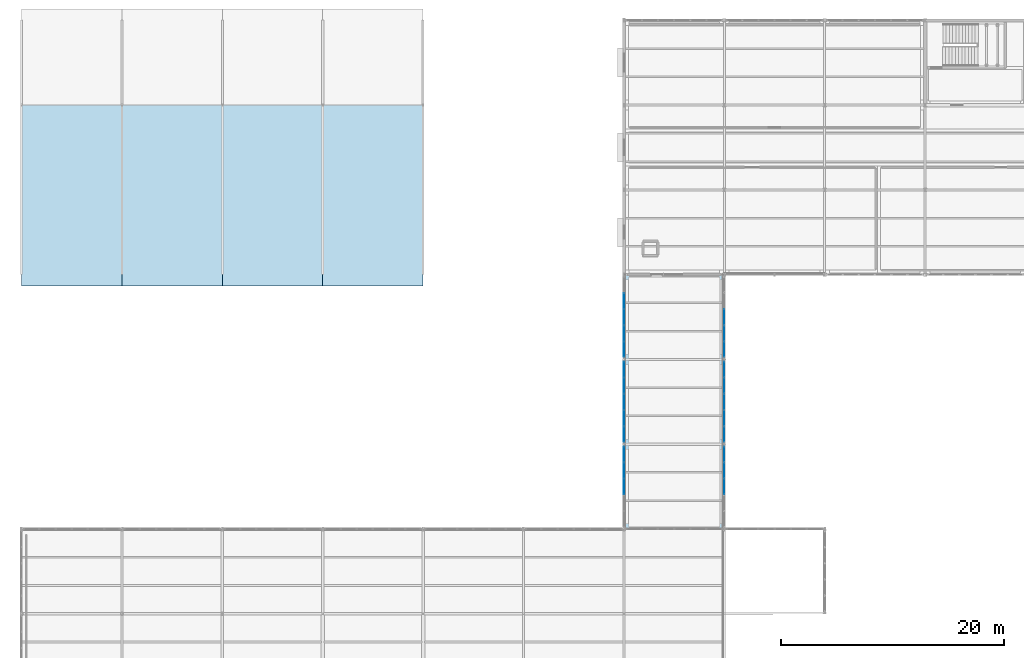
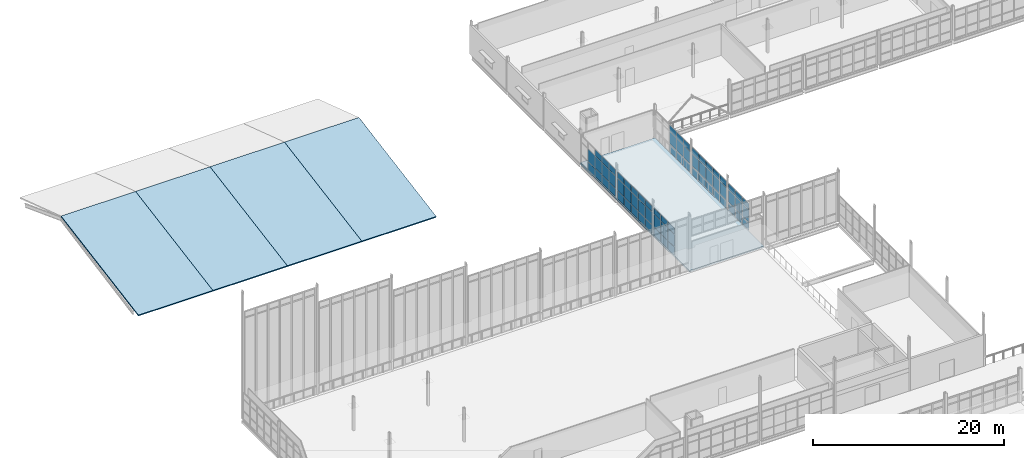
# One storey, part 130 of 166: 68 plates, 5 slabs, 6 elements without a shape of their own.
"""IFC4 building model written with IfcOpenShell, lengths in metres."""

from ifc_helpers import new_model, si_unit, direction, frame, origin, origin_2d, place, context, subcontext, project, spatial, polyline, rectangle, outline, extrude, material, layer, layer_set, type_object, element, aggregate, save


model = new_model("IFC4")

# Units and contexts
model_context = context("Model", 3, precision=1e-05, world=origin(), true_north=direction((0.0, 1.0)))
body_context = subcontext(model_context, "Body", "Model", "MODEL_VIEW")
ifc_project = project(units=[si_unit("LENGTHUNIT", "METRE"), si_unit("AREAUNIT", "SQUARE_METRE"), si_unit("VOLUMEUNIT", "CUBIC_METRE"), si_unit("PLANEANGLEUNIT", "RADIAN"), si_unit("MASSUNIT", "GRAM", prefix="KILO")], contexts=[model_context])

# Site, building, storey
site_placement = place(None, origin())
site = spatial("IfcSite", under=ifc_project, at=site_placement, CompositionType="ELEMENT")
building_placement = place(site_placement, origin())
building = spatial("IfcBuilding", under=site, at=building_placement, Name="Caisbarro Railhouse Central Library", CompositionType="ELEMENT")
storey_placement = place(building_placement, frame((0.0, 0.0, 9.360107421875)))
storey = spatial("IfcBuildingStorey", under=building, at=storey_placement, Name="L02", CompositionType="ELEMENT", Elevation=9.360107421875)

# Curtain wall, plates
ifc_material_1 = material(Name="Anodised architectural aluminium", Category="aluminium")
curtain_wall_type = type_object("IfcCurtainWallType", Name="CW-CW03", PredefinedType="NOTDEFINED", material=ifc_material_1)
curtain_wall_1_placement = place(storey_placement, origin())
curtain_wall_1 = element("IfcCurtainWall", 1, at=curtain_wall_1_placement, inside=storey, type_object=curtain_wall_type, Name="CW03 curtain wall L02 #202", PredefinedType="NOTDEFINED")
ifc_material_2 = material(Name="Double low-e laminated solar-control glass", Category="glass")
ifc_layer_1 = layer(ifc_material_2, 0.01806640625, Name="Double low-e laminated solar-control glass")
ifc_layer_set_1 = layer_set([ifc_layer_1], Name="Double low-e laminated solar-control glass")
plate_type = type_object("IfcPlateType", Name="CWP-CP18", PredefinedType="CURTAIN_PANEL", material=ifc_layer_set_1)
plate_1_placement = place(storey_placement, frame((54.0, 64.60009765625, 0.06494140625), z_axis=(0.0, 0.0, 1.0), x_axis=(0.0, 1.0, 0.0)))
plate_1 = element("IfcPlate", 2, at=plate_1_placement, type_object=plate_type, Name="CW03 panel 3.1", PredefinedType="CURTAIN_PANEL", context=body_context, shape_type="SweptSolid", body=[
    extrude(rectangle(XDim=1.39111328125, YDim=0.01806640625, at=origin_2d()), origin(), (0.0, 0.0, 1.0), 1.0224609375),
])
plate_2_placement = place(storey_placement, frame((54.0, 64.60009765625, 1.15234375), z_axis=(0.0, 0.0, 1.0), x_axis=(0.0, 1.0, 0.0)))
plate_2 = element("IfcPlate", 3, at=plate_2_placement, type_object=plate_type, Name="CW03 panel 3.2", PredefinedType="CURTAIN_PANEL", context=body_context, shape_type="SweptSolid", body=[
    extrude(rectangle(XDim=1.39111328125, YDim=0.01806640625, at=origin_2d()), origin(), (0.0, 0.0, 1.0), 1.554931640625),
])
plate_3_placement = place(storey_placement, frame((54.0, 64.60009765625, 2.7724609375), z_axis=(0.0, 0.0, 1.0), x_axis=(0.0, 1.0, 0.0)))
plate_3 = element("IfcPlate", 4, at=plate_3_placement, type_object=plate_type, Name="CW03 panel 3.3", PredefinedType="CURTAIN_PANEL", context=body_context, shape_type="SweptSolid", body=[
    extrude(rectangle(XDim=1.39111328125, YDim=0.01806640625, at=origin_2d()), origin(), (0.0, 0.0, 1.0), 0.75244140625),
])
plate_4_placement = place(storey_placement, frame((54.0, 66.055908203125, 0.06494140625), z_axis=(0.0, 0.0, 1.0), x_axis=(0.0, 1.0, 0.0)))
plate_4 = element("IfcPlate", 5, at=plate_4_placement, type_object=plate_type, Name="CW03 panel 4.1", PredefinedType="CURTAIN_PANEL", context=body_context, shape_type="SweptSolid", body=[
    extrude(rectangle(XDim=1.39111328125, YDim=0.01806640625, at=origin_2d()), origin(), (0.0, 0.0, 1.0), 1.0224609375),
])
plate_5_placement = place(storey_placement, frame((54.0, 66.055908203125, 1.15234375), z_axis=(0.0, 0.0, 1.0), x_axis=(0.0, 1.0, 0.0)))
plate_5 = element("IfcPlate", 6, at=plate_5_placement, type_object=plate_type, Name="CW03 panel 4.2", PredefinedType="CURTAIN_PANEL", context=body_context, shape_type="SweptSolid", body=[
    extrude(rectangle(XDim=1.39111328125, YDim=0.01806640625, at=origin_2d()), origin(), (0.0, 0.0, 1.0), 1.554931640625),
])
plate_6_placement = place(storey_placement, frame((54.0, 66.055908203125, 2.7724609375), z_axis=(0.0, 0.0, 1.0), x_axis=(0.0, 1.0, 0.0)))
plate_6 = element("IfcPlate", 7, at=plate_6_placement, type_object=plate_type, Name="CW03 panel 4.3", PredefinedType="CURTAIN_PANEL", context=body_context, shape_type="SweptSolid", body=[
    extrude(rectangle(XDim=1.39111328125, YDim=0.01806640625, at=origin_2d()), origin(), (0.0, 0.0, 1.0), 0.75244140625),
])
plate_7_placement = place(storey_placement, frame((54.0, 67.495849609375, 0.06494140625), z_axis=(0.0, 0.0, 1.0), x_axis=(0.0, 1.0, 0.0)))
plate_7 = element("IfcPlate", 8, at=plate_7_placement, type_object=plate_type, Name="CW03 panel 5.1", PredefinedType="CURTAIN_PANEL", context=body_context, shape_type="SweptSolid", body=[
    extrude(rectangle(XDim=1.3583984375, YDim=0.01806640625, at=origin_2d()), origin(), (0.0, 0.0, 1.0), 1.0224609375),
])
plate_8_placement = place(storey_placement, frame((54.0, 67.495849609375, 1.15234375), z_axis=(0.0, 0.0, 1.0), x_axis=(0.0, 1.0, 0.0)))
plate_8 = element("IfcPlate", 9, at=plate_8_placement, type_object=plate_type, Name="CW03 panel 5.2", PredefinedType="CURTAIN_PANEL", context=body_context, shape_type="SweptSolid", body=[
    extrude(rectangle(XDim=1.3583984375, YDim=0.01806640625, at=origin_2d()), origin(), (0.0, 0.0, 1.0), 1.554931640625),
])
plate_9_placement = place(storey_placement, frame((54.0, 67.495849609375, 2.7724609375), z_axis=(0.0, 0.0, 1.0), x_axis=(0.0, 1.0, 0.0)))
plate_9 = element("IfcPlate", 10, at=plate_9_placement, type_object=plate_type, Name="CW03 panel 5.3", PredefinedType="CURTAIN_PANEL", context=body_context, shape_type="SweptSolid", body=[
    extrude(rectangle(XDim=1.3583984375, YDim=0.01806640625, at=origin_2d()), origin(), (0.0, 0.0, 1.0), 0.75244140625),
])
aggregate(curtain_wall_1, [plate_1, plate_2, plate_3, plate_4, plate_5, plate_6, plate_7, plate_8, plate_9])

curtain_wall_2_placement = place(storey_placement, origin())
curtain_wall_2 = element("IfcCurtainWall", 11, at=curtain_wall_2_placement, inside=storey, type_object=curtain_wall_type, Name="CW03 curtain wall L02 #203", PredefinedType="NOTDEFINED")
plate_10_placement = place(storey_placement, frame((63.0, 64.60009765625, 0.06494140625), z_axis=(0.0, 0.0, 1.0), x_axis=(0.0, 1.0, 0.0)))
plate_10 = element("IfcPlate", 12, at=plate_10_placement, type_object=plate_type, Name="CW03 panel 3.1", PredefinedType="CURTAIN_PANEL", context=body_context, shape_type="SweptSolid", body=[
    extrude(rectangle(XDim=1.39111328125, YDim=0.01806640625, at=origin_2d()), origin(), (0.0, 0.0, 1.0), 1.0224609375),
])
plate_11_placement = place(storey_placement, frame((63.0, 64.60009765625, 1.15234375), z_axis=(0.0, 0.0, 1.0), x_axis=(0.0, 1.0, 0.0)))
plate_11 = element("IfcPlate", 13, at=plate_11_placement, type_object=plate_type, Name="CW03 panel 3.2", PredefinedType="CURTAIN_PANEL", context=body_context, shape_type="SweptSolid", body=[
    extrude(rectangle(XDim=1.39111328125, YDim=0.01806640625, at=origin_2d()), origin(), (0.0, 0.0, 1.0), 1.554931640625),
])
plate_12_placement = place(storey_placement, frame((63.0, 64.60009765625, 2.7724609375), z_axis=(0.0, 0.0, 1.0), x_axis=(0.0, 1.0, 0.0)))
plate_12 = element("IfcPlate", 14, at=plate_12_placement, type_object=plate_type, Name="CW03 panel 3.3", PredefinedType="CURTAIN_PANEL", context=body_context, shape_type="SweptSolid", body=[
    extrude(rectangle(XDim=1.39111328125, YDim=0.01806640625, at=origin_2d()), origin(), (0.0, 0.0, 1.0), 0.75244140625),
])
plate_13_placement = place(storey_placement, frame((63.0, 66.055908203125, 0.06494140625), z_axis=(0.0, 0.0, 1.0), x_axis=(0.0, 1.0, 0.0)))
plate_13 = element("IfcPlate", 15, at=plate_13_placement, type_object=plate_type, Name="CW03 panel 4.1", PredefinedType="CURTAIN_PANEL", context=body_context, shape_type="SweptSolid", body=[
    extrude(rectangle(XDim=1.39111328125, YDim=0.01806640625, at=origin_2d()), origin(), (0.0, 0.0, 1.0), 1.0224609375),
])
plate_14_placement = place(storey_placement, frame((63.0, 66.055908203125, 1.15234375), z_axis=(0.0, 0.0, 1.0), x_axis=(0.0, 1.0, 0.0)))
plate_14 = element("IfcPlate", 16, at=plate_14_placement, type_object=plate_type, Name="CW03 panel 4.2", PredefinedType="CURTAIN_PANEL", context=body_context, shape_type="SweptSolid", body=[
    extrude(rectangle(XDim=1.39111328125, YDim=0.01806640625, at=origin_2d()), origin(), (0.0, 0.0, 1.0), 1.554931640625),
])
plate_15_placement = place(storey_placement, frame((63.0, 66.055908203125, 2.7724609375), z_axis=(0.0, 0.0, 1.0), x_axis=(0.0, 1.0, 0.0)))
plate_15 = element("IfcPlate", 17, at=plate_15_placement, type_object=plate_type, Name="CW03 panel 4.3", PredefinedType="CURTAIN_PANEL", context=body_context, shape_type="SweptSolid", body=[
    extrude(rectangle(XDim=1.39111328125, YDim=0.01806640625, at=origin_2d()), origin(), (0.0, 0.0, 1.0), 0.75244140625),
])
plate_16_placement = place(storey_placement, frame((63.0, 67.495849609375, 0.06494140625), z_axis=(0.0, 0.0, 1.0), x_axis=(0.0, 1.0, 0.0)))
plate_16 = element("IfcPlate", 18, at=plate_16_placement, type_object=plate_type, Name="CW03 panel 5.1", PredefinedType="CURTAIN_PANEL", context=body_context, shape_type="SweptSolid", body=[
    extrude(rectangle(XDim=1.3583984375, YDim=0.01806640625, at=origin_2d()), origin(), (0.0, 0.0, 1.0), 1.0224609375),
])
plate_17_placement = place(storey_placement, frame((63.0, 67.495849609375, 1.15234375), z_axis=(0.0, 0.0, 1.0), x_axis=(0.0, 1.0, 0.0)))
plate_17 = element("IfcPlate", 19, at=plate_17_placement, type_object=plate_type, Name="CW03 panel 5.2", PredefinedType="CURTAIN_PANEL", context=body_context, shape_type="SweptSolid", body=[
    extrude(rectangle(XDim=1.3583984375, YDim=0.01806640625, at=origin_2d()), origin(), (0.0, 0.0, 1.0), 1.554931640625),
])
plate_18_placement = place(storey_placement, frame((63.0, 67.495849609375, 2.7724609375), z_axis=(0.0, 0.0, 1.0), x_axis=(0.0, 1.0, 0.0)))
plate_18 = element("IfcPlate", 20, at=plate_18_placement, type_object=plate_type, Name="CW03 panel 5.3", PredefinedType="CURTAIN_PANEL", context=body_context, shape_type="SweptSolid", body=[
    extrude(rectangle(XDim=1.3583984375, YDim=0.01806640625, at=origin_2d()), origin(), (0.0, 0.0, 1.0), 0.75244140625),
])
aggregate(curtain_wall_2, [plate_10, plate_11, plate_12, plate_13, plate_14, plate_15, plate_16, plate_17, plate_18])

curtain_wall_3_placement = place(storey_placement, origin())
curtain_wall_3 = element("IfcCurtainWall", 21, at=curtain_wall_3_placement, inside=storey, type_object=curtain_wall_type, Name="CW03 curtain wall L02 #204", PredefinedType="NOTDEFINED")
plate_19_placement = place(storey_placement, frame((54.0, 69.30419921875, 0.06494140625), z_axis=(0.0, 0.0, 1.0), x_axis=(0.0, 1.0, 0.0)))
plate_19 = element("IfcPlate", 22, at=plate_19_placement, type_object=plate_type, Name="CW03 panel 1.1", PredefinedType="CURTAIN_PANEL", context=body_context, shape_type="SweptSolid", body=[
    extrude(rectangle(XDim=1.3583984375, YDim=0.01806640625, at=origin_2d()), origin(), (0.0, 0.0, 1.0), 1.0224609375),
])
plate_20_placement = place(storey_placement, frame((54.0, 69.30419921875, 1.15234375), z_axis=(0.0, 0.0, 1.0), x_axis=(0.0, 1.0, 0.0)))
plate_20 = element("IfcPlate", 23, at=plate_20_placement, type_object=plate_type, Name="CW03 panel 1.2", PredefinedType="CURTAIN_PANEL", context=body_context, shape_type="SweptSolid", body=[
    extrude(rectangle(XDim=1.3583984375, YDim=0.01806640625, at=origin_2d()), origin(), (0.0, 0.0, 1.0), 1.554931640625),
])
plate_21_placement = place(storey_placement, frame((54.0, 69.30419921875, 2.7724609375), z_axis=(0.0, 0.0, 1.0), x_axis=(0.0, 1.0, 0.0)))
plate_21 = element("IfcPlate", 24, at=plate_21_placement, type_object=plate_type, Name="CW03 panel 1.3", PredefinedType="CURTAIN_PANEL", context=body_context, shape_type="SweptSolid", body=[
    extrude(rectangle(XDim=1.3583984375, YDim=0.01806640625, at=origin_2d()), origin(), (0.0, 0.0, 1.0), 0.75244140625),
])
plate_22_placement = place(storey_placement, frame((54.0, 70.743896484375, 0.06494140625), z_axis=(0.0, 0.0, 1.0), x_axis=(0.0, 1.0, 0.0)))
plate_22 = element("IfcPlate", 25, at=plate_22_placement, type_object=plate_type, Name="CW03 panel 2.1", PredefinedType="CURTAIN_PANEL", context=body_context, shape_type="SweptSolid", body=[
    extrude(rectangle(XDim=1.39111328125, YDim=0.01806640625, at=origin_2d()), origin(), (0.0, 0.0, 1.0), 1.0224609375),
])
plate_23_placement = place(storey_placement, frame((54.0, 70.743896484375, 1.15234375), z_axis=(0.0, 0.0, 1.0), x_axis=(0.0, 1.0, 0.0)))
plate_23 = element("IfcPlate", 26, at=plate_23_placement, type_object=plate_type, Name="CW03 panel 2.2", PredefinedType="CURTAIN_PANEL", context=body_context, shape_type="SweptSolid", body=[
    extrude(rectangle(XDim=1.39111328125, YDim=0.01806640625, at=origin_2d()), origin(), (0.0, 0.0, 1.0), 1.554931640625),
])
plate_24_placement = place(storey_placement, frame((54.0, 70.743896484375, 2.7724609375), z_axis=(0.0, 0.0, 1.0), x_axis=(0.0, 1.0, 0.0)))
plate_24 = element("IfcPlate", 27, at=plate_24_placement, type_object=plate_type, Name="CW03 panel 2.3", PredefinedType="CURTAIN_PANEL", context=body_context, shape_type="SweptSolid", body=[
    extrude(rectangle(XDim=1.39111328125, YDim=0.01806640625, at=origin_2d()), origin(), (0.0, 0.0, 1.0), 0.75244140625),
])
plate_25_placement = place(storey_placement, frame((54.0, 72.199951171875, 0.06494140625), z_axis=(0.0, 0.0, 1.0), x_axis=(0.0, 1.0, 0.0)))
plate_25 = element("IfcPlate", 28, at=plate_25_placement, type_object=plate_type, Name="CW03 panel 3.1", PredefinedType="CURTAIN_PANEL", context=body_context, shape_type="SweptSolid", body=[
    extrude(rectangle(XDim=1.39111328125, YDim=0.01806640625, at=origin_2d()), origin(), (0.0, 0.0, 1.0), 1.0224609375),
])
plate_26_placement = place(storey_placement, frame((54.0, 72.199951171875, 1.15234375), z_axis=(0.0, 0.0, 1.0), x_axis=(0.0, 1.0, 0.0)))
plate_26 = element("IfcPlate", 29, at=plate_26_placement, type_object=plate_type, Name="CW03 panel 3.2", PredefinedType="CURTAIN_PANEL", context=body_context, shape_type="SweptSolid", body=[
    extrude(rectangle(XDim=1.39111328125, YDim=0.01806640625, at=origin_2d()), origin(), (0.0, 0.0, 1.0), 1.554931640625),
])
plate_27_placement = place(storey_placement, frame((54.0, 72.199951171875, 2.7724609375), z_axis=(0.0, 0.0, 1.0), x_axis=(0.0, 1.0, 0.0)))
plate_27 = element("IfcPlate", 30, at=plate_27_placement, type_object=plate_type, Name="CW03 panel 3.3", PredefinedType="CURTAIN_PANEL", context=body_context, shape_type="SweptSolid", body=[
    extrude(rectangle(XDim=1.39111328125, YDim=0.01806640625, at=origin_2d()), origin(), (0.0, 0.0, 1.0), 0.75244140625),
])
plate_28_placement = place(storey_placement, frame((54.0, 73.656005859375, 0.06494140625), z_axis=(0.0, 0.0, 1.0), x_axis=(0.0, 1.0, 0.0)))
plate_28 = element("IfcPlate", 31, at=plate_28_placement, type_object=plate_type, Name="CW03 panel 4.1", PredefinedType="CURTAIN_PANEL", context=body_context, shape_type="SweptSolid", body=[
    extrude(rectangle(XDim=1.39111328125, YDim=0.01806640625, at=origin_2d()), origin(), (0.0, 0.0, 1.0), 1.0224609375),
])
plate_29_placement = place(storey_placement, frame((54.0, 73.656005859375, 1.15234375), z_axis=(0.0, 0.0, 1.0), x_axis=(0.0, 1.0, 0.0)))
plate_29 = element("IfcPlate", 32, at=plate_29_placement, type_object=plate_type, Name="CW03 panel 4.2", PredefinedType="CURTAIN_PANEL", context=body_context, shape_type="SweptSolid", body=[
    extrude(rectangle(XDim=1.39111328125, YDim=0.01806640625, at=origin_2d()), origin(), (0.0, 0.0, 1.0), 1.554931640625),
])
plate_30_placement = place(storey_placement, frame((54.0, 73.656005859375, 2.7724609375), z_axis=(0.0, 0.0, 1.0), x_axis=(0.0, 1.0, 0.0)))
plate_30 = element("IfcPlate", 33, at=plate_30_placement, type_object=plate_type, Name="CW03 panel 4.3", PredefinedType="CURTAIN_PANEL", context=body_context, shape_type="SweptSolid", body=[
    extrude(rectangle(XDim=1.39111328125, YDim=0.01806640625, at=origin_2d()), origin(), (0.0, 0.0, 1.0), 0.75244140625),
])
plate_31_placement = place(storey_placement, frame((54.0, 75.095703125, 0.06494140625), z_axis=(0.0, 0.0, 1.0), x_axis=(0.0, 1.0, 0.0)))
plate_31 = element("IfcPlate", 34, at=plate_31_placement, type_object=plate_type, Name="CW03 panel 5.1", PredefinedType="CURTAIN_PANEL", context=body_context, shape_type="SweptSolid", body=[
    extrude(rectangle(XDim=1.3583984375, YDim=0.01806640625, at=origin_2d()), origin(), (0.0, 0.0, 1.0), 1.0224609375),
])
plate_32_placement = place(storey_placement, frame((54.0, 75.095703125, 1.15234375), z_axis=(0.0, 0.0, 1.0), x_axis=(0.0, 1.0, 0.0)))
plate_32 = element("IfcPlate", 35, at=plate_32_placement, type_object=plate_type, Name="CW03 panel 5.2", PredefinedType="CURTAIN_PANEL", context=body_context, shape_type="SweptSolid", body=[
    extrude(rectangle(XDim=1.3583984375, YDim=0.01806640625, at=origin_2d()), origin(), (0.0, 0.0, 1.0), 1.554931640625),
])
plate_33_placement = place(storey_placement, frame((54.0, 75.095703125, 2.7724609375), z_axis=(0.0, 0.0, 1.0), x_axis=(0.0, 1.0, 0.0)))
plate_33 = element("IfcPlate", 36, at=plate_33_placement, type_object=plate_type, Name="CW03 panel 5.3", PredefinedType="CURTAIN_PANEL", context=body_context, shape_type="SweptSolid", body=[
    extrude(rectangle(XDim=1.3583984375, YDim=0.01806640625, at=origin_2d()), origin(), (0.0, 0.0, 1.0), 0.75244140625),
])
aggregate(curtain_wall_3, [plate_19, plate_20, plate_21, plate_22, plate_23, plate_24, plate_25, plate_26, plate_27, plate_28, plate_29, plate_30, plate_31, plate_32, plate_33])

curtain_wall_4_placement = place(storey_placement, origin())
curtain_wall_4 = element("IfcCurtainWall", 37, at=curtain_wall_4_placement, inside=storey, type_object=curtain_wall_type, Name="CW03 curtain wall L02 #205", PredefinedType="NOTDEFINED")
plate_34_placement = place(storey_placement, frame((63.0, 69.30419921875, 0.06494140625), z_axis=(0.0, 0.0, 1.0), x_axis=(0.0, 1.0, 0.0)))
plate_34 = element("IfcPlate", 38, at=plate_34_placement, type_object=plate_type, Name="CW03 panel 1.1", PredefinedType="CURTAIN_PANEL", context=body_context, shape_type="SweptSolid", body=[
    extrude(rectangle(XDim=1.3583984375, YDim=0.01806640625, at=origin_2d()), origin(), (0.0, 0.0, 1.0), 1.0224609375),
])
plate_35_placement = place(storey_placement, frame((63.0, 69.30419921875, 1.15234375), z_axis=(0.0, 0.0, 1.0), x_axis=(0.0, 1.0, 0.0)))
plate_35 = element("IfcPlate", 39, at=plate_35_placement, type_object=plate_type, Name="CW03 panel 1.2", PredefinedType="CURTAIN_PANEL", context=body_context, shape_type="SweptSolid", body=[
    extrude(rectangle(XDim=1.3583984375, YDim=0.01806640625, at=origin_2d()), origin(), (0.0, 0.0, 1.0), 1.554931640625),
])
plate_36_placement = place(storey_placement, frame((63.0, 69.30419921875, 2.7724609375), z_axis=(0.0, 0.0, 1.0), x_axis=(0.0, 1.0, 0.0)))
plate_36 = element("IfcPlate", 40, at=plate_36_placement, type_object=plate_type, Name="CW03 panel 1.3", PredefinedType="CURTAIN_PANEL", context=body_context, shape_type="SweptSolid", body=[
    extrude(rectangle(XDim=1.3583984375, YDim=0.01806640625, at=origin_2d()), origin(), (0.0, 0.0, 1.0), 0.75244140625),
])
plate_37_placement = place(storey_placement, frame((63.0, 70.743896484375, 0.06494140625), z_axis=(0.0, 0.0, 1.0), x_axis=(0.0, 1.0, 0.0)))
plate_37 = element("IfcPlate", 41, at=plate_37_placement, type_object=plate_type, Name="CW03 panel 2.1", PredefinedType="CURTAIN_PANEL", context=body_context, shape_type="SweptSolid", body=[
    extrude(rectangle(XDim=1.39111328125, YDim=0.01806640625, at=origin_2d()), origin(), (0.0, 0.0, 1.0), 1.0224609375),
])
plate_38_placement = place(storey_placement, frame((63.0, 70.743896484375, 1.15234375), z_axis=(0.0, 0.0, 1.0), x_axis=(0.0, 1.0, 0.0)))
plate_38 = element("IfcPlate", 42, at=plate_38_placement, type_object=plate_type, Name="CW03 panel 2.2", PredefinedType="CURTAIN_PANEL", context=body_context, shape_type="SweptSolid", body=[
    extrude(rectangle(XDim=1.39111328125, YDim=0.01806640625, at=origin_2d()), origin(), (0.0, 0.0, 1.0), 1.554931640625),
])
plate_39_placement = place(storey_placement, frame((63.0, 70.743896484375, 2.7724609375), z_axis=(0.0, 0.0, 1.0), x_axis=(0.0, 1.0, 0.0)))
plate_39 = element("IfcPlate", 43, at=plate_39_placement, type_object=plate_type, Name="CW03 panel 2.3", PredefinedType="CURTAIN_PANEL", context=body_context, shape_type="SweptSolid", body=[
    extrude(rectangle(XDim=1.39111328125, YDim=0.01806640625, at=origin_2d()), origin(), (0.0, 0.0, 1.0), 0.75244140625),
])
plate_40_placement = place(storey_placement, frame((63.0, 72.199951171875, 0.06494140625), z_axis=(0.0, 0.0, 1.0), x_axis=(0.0, 1.0, 0.0)))
plate_40 = element("IfcPlate", 44, at=plate_40_placement, type_object=plate_type, Name="CW03 panel 3.1", PredefinedType="CURTAIN_PANEL", context=body_context, shape_type="SweptSolid", body=[
    extrude(rectangle(XDim=1.39111328125, YDim=0.01806640625, at=origin_2d()), origin(), (0.0, 0.0, 1.0), 1.0224609375),
])
plate_41_placement = place(storey_placement, frame((63.0, 72.199951171875, 1.15234375), z_axis=(0.0, 0.0, 1.0), x_axis=(0.0, 1.0, 0.0)))
plate_41 = element("IfcPlate", 45, at=plate_41_placement, type_object=plate_type, Name="CW03 panel 3.2", PredefinedType="CURTAIN_PANEL", context=body_context, shape_type="SweptSolid", body=[
    extrude(rectangle(XDim=1.39111328125, YDim=0.01806640625, at=origin_2d()), origin(), (0.0, 0.0, 1.0), 1.554931640625),
])
plate_42_placement = place(storey_placement, frame((63.0, 72.199951171875, 2.7724609375), z_axis=(0.0, 0.0, 1.0), x_axis=(0.0, 1.0, 0.0)))
plate_42 = element("IfcPlate", 46, at=plate_42_placement, type_object=plate_type, Name="CW03 panel 3.3", PredefinedType="CURTAIN_PANEL", context=body_context, shape_type="SweptSolid", body=[
    extrude(rectangle(XDim=1.39111328125, YDim=0.01806640625, at=origin_2d()), origin(), (0.0, 0.0, 1.0), 0.75244140625),
])
plate_43_placement = place(storey_placement, frame((63.0, 73.656005859375, 0.06494140625), z_axis=(0.0, 0.0, 1.0), x_axis=(0.0, 1.0, 0.0)))
plate_43 = element("IfcPlate", 47, at=plate_43_placement, type_object=plate_type, Name="CW03 panel 4.1", PredefinedType="CURTAIN_PANEL", context=body_context, shape_type="SweptSolid", body=[
    extrude(rectangle(XDim=1.39111328125, YDim=0.01806640625, at=origin_2d()), origin(), (0.0, 0.0, 1.0), 1.0224609375),
])
plate_44_placement = place(storey_placement, frame((63.0, 73.656005859375, 1.15234375), z_axis=(0.0, 0.0, 1.0), x_axis=(0.0, 1.0, 0.0)))
plate_44 = element("IfcPlate", 48, at=plate_44_placement, type_object=plate_type, Name="CW03 panel 4.2", PredefinedType="CURTAIN_PANEL", context=body_context, shape_type="SweptSolid", body=[
    extrude(rectangle(XDim=1.39111328125, YDim=0.01806640625, at=origin_2d()), origin(), (0.0, 0.0, 1.0), 1.554931640625),
])
plate_45_placement = place(storey_placement, frame((63.0, 73.656005859375, 2.7724609375), z_axis=(0.0, 0.0, 1.0), x_axis=(0.0, 1.0, 0.0)))
plate_45 = element("IfcPlate", 49, at=plate_45_placement, type_object=plate_type, Name="CW03 panel 4.3", PredefinedType="CURTAIN_PANEL", context=body_context, shape_type="SweptSolid", body=[
    extrude(rectangle(XDim=1.39111328125, YDim=0.01806640625, at=origin_2d()), origin(), (0.0, 0.0, 1.0), 0.75244140625),
])
plate_46_placement = place(storey_placement, frame((63.0, 75.095703125, 0.06494140625), z_axis=(0.0, 0.0, 1.0), x_axis=(0.0, 1.0, 0.0)))
plate_46 = element("IfcPlate", 50, at=plate_46_placement, type_object=plate_type, Name="CW03 panel 5.1", PredefinedType="CURTAIN_PANEL", context=body_context, shape_type="SweptSolid", body=[
    extrude(rectangle(XDim=1.3583984375, YDim=0.01806640625, at=origin_2d()), origin(), (0.0, 0.0, 1.0), 1.0224609375),
])
plate_47_placement = place(storey_placement, frame((63.0, 75.095703125, 1.15234375), z_axis=(0.0, 0.0, 1.0), x_axis=(0.0, 1.0, 0.0)))
plate_47 = element("IfcPlate", 51, at=plate_47_placement, type_object=plate_type, Name="CW03 panel 5.2", PredefinedType="CURTAIN_PANEL", context=body_context, shape_type="SweptSolid", body=[
    extrude(rectangle(XDim=1.3583984375, YDim=0.01806640625, at=origin_2d()), origin(), (0.0, 0.0, 1.0), 1.554931640625),
])
plate_48_placement = place(storey_placement, frame((63.0, 75.095703125, 2.7724609375), z_axis=(0.0, 0.0, 1.0), x_axis=(0.0, 1.0, 0.0)))
plate_48 = element("IfcPlate", 52, at=plate_48_placement, type_object=plate_type, Name="CW03 panel 5.3", PredefinedType="CURTAIN_PANEL", context=body_context, shape_type="SweptSolid", body=[
    extrude(rectangle(XDim=1.3583984375, YDim=0.01806640625, at=origin_2d()), origin(), (0.0, 0.0, 1.0), 0.75244140625),
])
aggregate(curtain_wall_4, [plate_34, plate_35, plate_36, plate_37, plate_38, plate_39, plate_40, plate_41, plate_42, plate_43, plate_44, plate_45, plate_46, plate_47, plate_48])

curtain_wall_5_placement = place(storey_placement, origin())
curtain_wall_5 = element("IfcCurtainWall", 53, at=curtain_wall_5_placement, inside=storey, type_object=curtain_wall_type, Name="CW03 curtain wall L02 #206", PredefinedType="NOTDEFINED")
plate_49_placement = place(storey_placement, frame((54.0, 76.904296875, 0.06494140625), z_axis=(0.0, 0.0, 1.0), x_axis=(0.0, 1.0, 0.0)))
plate_49 = element("IfcPlate", 54, at=plate_49_placement, type_object=plate_type, Name="CW03 panel 1.1", PredefinedType="CURTAIN_PANEL", context=body_context, shape_type="SweptSolid", body=[
    extrude(rectangle(XDim=1.3583984375, YDim=0.01806640625, at=origin_2d()), origin(), (0.0, 0.0, 1.0), 1.0224609375),
])
plate_50_placement = place(storey_placement, frame((54.0, 76.904296875, 1.15234375), z_axis=(0.0, 0.0, 1.0), x_axis=(0.0, 1.0, 0.0)))
plate_50 = element("IfcPlate", 55, at=plate_50_placement, type_object=plate_type, Name="CW03 panel 1.2", PredefinedType="CURTAIN_PANEL", context=body_context, shape_type="SweptSolid", body=[
    extrude(rectangle(XDim=1.3583984375, YDim=0.01806640625, at=origin_2d()), origin(), (0.0, 0.0, 1.0), 1.554931640625),
])
plate_51_placement = place(storey_placement, frame((54.0, 76.904296875, 2.7724609375), z_axis=(0.0, 0.0, 1.0), x_axis=(0.0, 1.0, 0.0)))
plate_51 = element("IfcPlate", 56, at=plate_51_placement, type_object=plate_type, Name="CW03 panel 1.3", PredefinedType="CURTAIN_PANEL", context=body_context, shape_type="SweptSolid", body=[
    extrude(rectangle(XDim=1.3583984375, YDim=0.01806640625, at=origin_2d()), origin(), (0.0, 0.0, 1.0), 0.75244140625),
])
plate_52_placement = place(storey_placement, frame((54.0, 78.343994140625, 0.06494140625), z_axis=(0.0, 0.0, 1.0), x_axis=(0.0, 1.0, 0.0)))
plate_52 = element("IfcPlate", 57, at=plate_52_placement, type_object=plate_type, Name="CW03 panel 2.1", PredefinedType="CURTAIN_PANEL", context=body_context, shape_type="SweptSolid", body=[
    extrude(rectangle(XDim=1.39111328125, YDim=0.01806640625, at=origin_2d()), origin(), (0.0, 0.0, 1.0), 1.0224609375),
])
plate_53_placement = place(storey_placement, frame((54.0, 78.343994140625, 1.15234375), z_axis=(0.0, 0.0, 1.0), x_axis=(0.0, 1.0, 0.0)))
plate_53 = element("IfcPlate", 58, at=plate_53_placement, type_object=plate_type, Name="CW03 panel 2.2", PredefinedType="CURTAIN_PANEL", context=body_context, shape_type="SweptSolid", body=[
    extrude(rectangle(XDim=1.39111328125, YDim=0.01806640625, at=origin_2d()), origin(), (0.0, 0.0, 1.0), 1.554931640625),
])
plate_54_placement = place(storey_placement, frame((54.0, 78.343994140625, 2.7724609375), z_axis=(0.0, 0.0, 1.0), x_axis=(0.0, 1.0, 0.0)))
plate_54 = element("IfcPlate", 59, at=plate_54_placement, type_object=plate_type, Name="CW03 panel 2.3", PredefinedType="CURTAIN_PANEL", context=body_context, shape_type="SweptSolid", body=[
    extrude(rectangle(XDim=1.39111328125, YDim=0.01806640625, at=origin_2d()), origin(), (0.0, 0.0, 1.0), 0.75244140625),
])
plate_55_placement = place(storey_placement, frame((54.0, 79.800048828125, 0.06494140625), z_axis=(0.0, 0.0, 1.0), x_axis=(0.0, 1.0, 0.0)))
plate_55 = element("IfcPlate", 60, at=plate_55_placement, type_object=plate_type, Name="CW03 panel 3.1", PredefinedType="CURTAIN_PANEL", context=body_context, shape_type="SweptSolid", body=[
    extrude(rectangle(XDim=1.39111328125, YDim=0.01806640625, at=origin_2d()), origin(), (0.0, 0.0, 1.0), 1.0224609375),
])
plate_56_placement = place(storey_placement, frame((54.0, 79.800048828125, 1.15234375), z_axis=(0.0, 0.0, 1.0), x_axis=(0.0, 1.0, 0.0)))
plate_56 = element("IfcPlate", 61, at=plate_56_placement, type_object=plate_type, Name="CW03 panel 3.2", PredefinedType="CURTAIN_PANEL", context=body_context, shape_type="SweptSolid", body=[
    extrude(rectangle(XDim=1.39111328125, YDim=0.01806640625, at=origin_2d()), origin(), (0.0, 0.0, 1.0), 1.554931640625),
])
plate_57_placement = place(storey_placement, frame((54.0, 79.800048828125, 2.7724609375), z_axis=(0.0, 0.0, 1.0), x_axis=(0.0, 1.0, 0.0)))
plate_57 = element("IfcPlate", 62, at=plate_57_placement, type_object=plate_type, Name="CW03 panel 3.3", PredefinedType="CURTAIN_PANEL", context=body_context, shape_type="SweptSolid", body=[
    extrude(rectangle(XDim=1.39111328125, YDim=0.01806640625, at=origin_2d()), origin(), (0.0, 0.0, 1.0), 0.75244140625),
])
plate_58_placement = place(storey_placement, frame((54.0, 81.256103515625, 0.06494140625), z_axis=(0.0, 0.0, 1.0), x_axis=(0.0, 1.0, 0.0)))
plate_58 = element("IfcPlate", 63, at=plate_58_placement, type_object=plate_type, Name="CW03 panel 4.1", PredefinedType="CURTAIN_PANEL", context=body_context, shape_type="SweptSolid", body=[
    extrude(rectangle(XDim=1.39111328125, YDim=0.01806640625, at=origin_2d()), origin(), (0.0, 0.0, 1.0), 1.0224609375),
])
plate_59_placement = place(storey_placement, frame((54.0, 81.256103515625, 1.15234375), z_axis=(0.0, 0.0, 1.0), x_axis=(0.0, 1.0, 0.0)))
plate_59 = element("IfcPlate", 64, at=plate_59_placement, type_object=plate_type, Name="CW03 panel 4.2", PredefinedType="CURTAIN_PANEL", context=body_context, shape_type="SweptSolid", body=[
    extrude(rectangle(XDim=1.39111328125, YDim=0.01806640625, at=origin_2d()), origin(), (0.0, 0.0, 1.0), 1.554931640625),
])
aggregate(curtain_wall_5, [plate_49, plate_50, plate_51, plate_52, plate_53, plate_54, plate_55, plate_56, plate_57, plate_58, plate_59])

curtain_wall_6_placement = place(storey_placement, origin())
curtain_wall_6 = element("IfcCurtainWall", 65, at=curtain_wall_6_placement, inside=storey, type_object=curtain_wall_type, Name="CW03 curtain wall L02 #207", PredefinedType="NOTDEFINED")
plate_60_placement = place(storey_placement, frame((63.0, 76.904296875, 0.06494140625), z_axis=(0.0, 0.0, 1.0), x_axis=(0.0, 1.0, 0.0)))
plate_60 = element("IfcPlate", 66, at=plate_60_placement, type_object=plate_type, Name="CW03 panel 1.1", PredefinedType="CURTAIN_PANEL", context=body_context, shape_type="SweptSolid", body=[
    extrude(rectangle(XDim=1.3583984375, YDim=0.01806640625, at=origin_2d()), origin(), (0.0, 0.0, 1.0), 1.0224609375),
])
plate_61_placement = place(storey_placement, frame((63.0, 76.904296875, 1.15234375), z_axis=(0.0, 0.0, 1.0), x_axis=(0.0, 1.0, 0.0)))
plate_61 = element("IfcPlate", 67, at=plate_61_placement, type_object=plate_type, Name="CW03 panel 1.2", PredefinedType="CURTAIN_PANEL", context=body_context, shape_type="SweptSolid", body=[
    extrude(rectangle(XDim=1.3583984375, YDim=0.01806640625, at=origin_2d()), origin(), (0.0, 0.0, 1.0), 1.554931640625),
])
plate_62_placement = place(storey_placement, frame((63.0, 76.904296875, 2.7724609375), z_axis=(0.0, 0.0, 1.0), x_axis=(0.0, 1.0, 0.0)))
plate_62 = element("IfcPlate", 68, at=plate_62_placement, type_object=plate_type, Name="CW03 panel 1.3", PredefinedType="CURTAIN_PANEL", context=body_context, shape_type="SweptSolid", body=[
    extrude(rectangle(XDim=1.3583984375, YDim=0.01806640625, at=origin_2d()), origin(), (0.0, 0.0, 1.0), 0.75244140625),
])
plate_63_placement = place(storey_placement, frame((63.0, 78.343994140625, 0.06494140625), z_axis=(0.0, 0.0, 1.0), x_axis=(0.0, 1.0, 0.0)))
plate_63 = element("IfcPlate", 69, at=plate_63_placement, type_object=plate_type, Name="CW03 panel 2.1", PredefinedType="CURTAIN_PANEL", context=body_context, shape_type="SweptSolid", body=[
    extrude(rectangle(XDim=1.39111328125, YDim=0.01806640625, at=origin_2d()), origin(), (0.0, 0.0, 1.0), 1.0224609375),
])
plate_64_placement = place(storey_placement, frame((63.0, 78.343994140625, 1.15234375), z_axis=(0.0, 0.0, 1.0), x_axis=(0.0, 1.0, 0.0)))
plate_64 = element("IfcPlate", 70, at=plate_64_placement, type_object=plate_type, Name="CW03 panel 2.2", PredefinedType="CURTAIN_PANEL", context=body_context, shape_type="SweptSolid", body=[
    extrude(rectangle(XDim=1.39111328125, YDim=0.01806640625, at=origin_2d()), origin(), (0.0, 0.0, 1.0), 1.554931640625),
])
plate_65_placement = place(storey_placement, frame((63.0, 78.343994140625, 2.7724609375), z_axis=(0.0, 0.0, 1.0), x_axis=(0.0, 1.0, 0.0)))
plate_65 = element("IfcPlate", 71, at=plate_65_placement, type_object=plate_type, Name="CW03 panel 2.3", PredefinedType="CURTAIN_PANEL", context=body_context, shape_type="SweptSolid", body=[
    extrude(rectangle(XDim=1.39111328125, YDim=0.01806640625, at=origin_2d()), origin(), (0.0, 0.0, 1.0), 0.75244140625),
])
plate_66_placement = place(storey_placement, frame((63.0, 79.800048828125, 0.06494140625), z_axis=(0.0, 0.0, 1.0), x_axis=(0.0, 1.0, 0.0)))
plate_66 = element("IfcPlate", 72, at=plate_66_placement, type_object=plate_type, Name="CW03 panel 3.1", PredefinedType="CURTAIN_PANEL", context=body_context, shape_type="SweptSolid", body=[
    extrude(rectangle(XDim=1.39111328125, YDim=0.01806640625, at=origin_2d()), origin(), (0.0, 0.0, 1.0), 1.0224609375),
])
plate_67_placement = place(storey_placement, frame((63.0, 79.800048828125, 1.15234375), z_axis=(0.0, 0.0, 1.0), x_axis=(0.0, 1.0, 0.0)))
plate_67 = element("IfcPlate", 73, at=plate_67_placement, type_object=plate_type, Name="CW03 panel 3.2", PredefinedType="CURTAIN_PANEL", context=body_context, shape_type="SweptSolid", body=[
    extrude(rectangle(XDim=1.39111328125, YDim=0.01806640625, at=origin_2d()), origin(), (0.0, 0.0, 1.0), 1.554931640625),
])
plate_68_placement = place(storey_placement, frame((63.0, 79.800048828125, 2.7724609375), z_axis=(0.0, 0.0, 1.0), x_axis=(0.0, 1.0, 0.0)))
plate_68 = element("IfcPlate", 74, at=plate_68_placement, type_object=plate_type, Name="CW03 panel 3.3", PredefinedType="CURTAIN_PANEL", context=body_context, shape_type="SweptSolid", body=[
    extrude(rectangle(XDim=1.39111328125, YDim=0.01806640625, at=origin_2d()), origin(), (0.0, 0.0, 1.0), 0.75244140625),
])
aggregate(curtain_wall_6, [plate_60, plate_61, plate_62, plate_63, plate_64, plate_65, plate_66, plate_67, plate_68])

# Slabs
ifc_material_3 = material(Name="Concrete C35", Category="concrete")
ifc_layer_2 = layer(ifc_material_3, 0.199951171875, Name="Concrete C35")
ifc_layer_set_2 = layer_set([ifc_layer_2], Name="Concrete C35")
slab_type_1 = type_object("IfcSlabType", Name="SLB-FL20", PredefinedType="FLOOR", material=ifc_layer_set_2)
slab_placement = place(storey_placement, frame((0.0, 0.0, -0.2001953125)))
element("IfcSlab", 75, at=slab_placement, inside=storey, type_object=slab_type_1, Name="Courtyard Bridge Floor Slab BRG-W L02", PredefinedType="FLOOR", context=body_context, shape_type="SweptSolid", body=[
    extrude(outline(polyline([(54.0, 60.800048828125), (63.0, 60.800048828125), (63.0, 83.60009765625), (54.0, 83.60009765625), (54.0, 60.800048828125)])), origin(), (0.0, 0.0, 1.0), 0.2001953125),
])
ifc_layer_3 = layer(ifc_material_3, 0.14990234375, Name="Concrete C35")
ifc_layer_set_3 = layer_set([ifc_layer_3], Name="Concrete C35")
slab_type_2 = type_object("IfcSlabType", Name="SLB-RF15", PredefinedType="ROOF", material=ifc_layer_set_3)
for number, where, z_axis, x_axis, name in (
    (76, (0.0, 82.60009765625, 0.0), (0.0, -0.172666584276, 0.984980330095), (1.0, 0.0, 0.0), "V2 Folded South Roof Facet 1"),
    (77, (9.0, 82.60009765625, 0.0), (0.0, -0.172666584276, 0.984980330095), (1.0, 0.0, 0.0), "V2 Folded South Roof Facet 2"),
    (78, (18.0, 82.60009765625, 0.0), (0.0, -0.172666584276, 0.984980330095), (1.0, 0.0, 0.0), "V2 Folded South Roof Facet 3"),
    (79, (27.0, 82.60009765625, 0.0), (0.0, -0.172666584276, 0.984980330095), (1.0, 0.0, 0.0), "V2 Folded South Roof Facet 4"),
):
    element("IfcSlab", number, at=place(storey_placement, frame(where, z_axis=z_axis, x_axis=x_axis)), inside=storey, type_object=slab_type_2, Name=name, PredefinedType="ROOF", context=body_context, shape_type="SweptSolid", body=[
        extrude(outline(polyline([(0.0, 0.0), (9.0, 0.0), (9.0, 16.446979372989684), (0.0, 16.446979372989684), (0.0, 0.0)])), origin(), (0.0, 0.0, -1.0), 0.14990234375),
    ])

save(model, "model.ifc")
